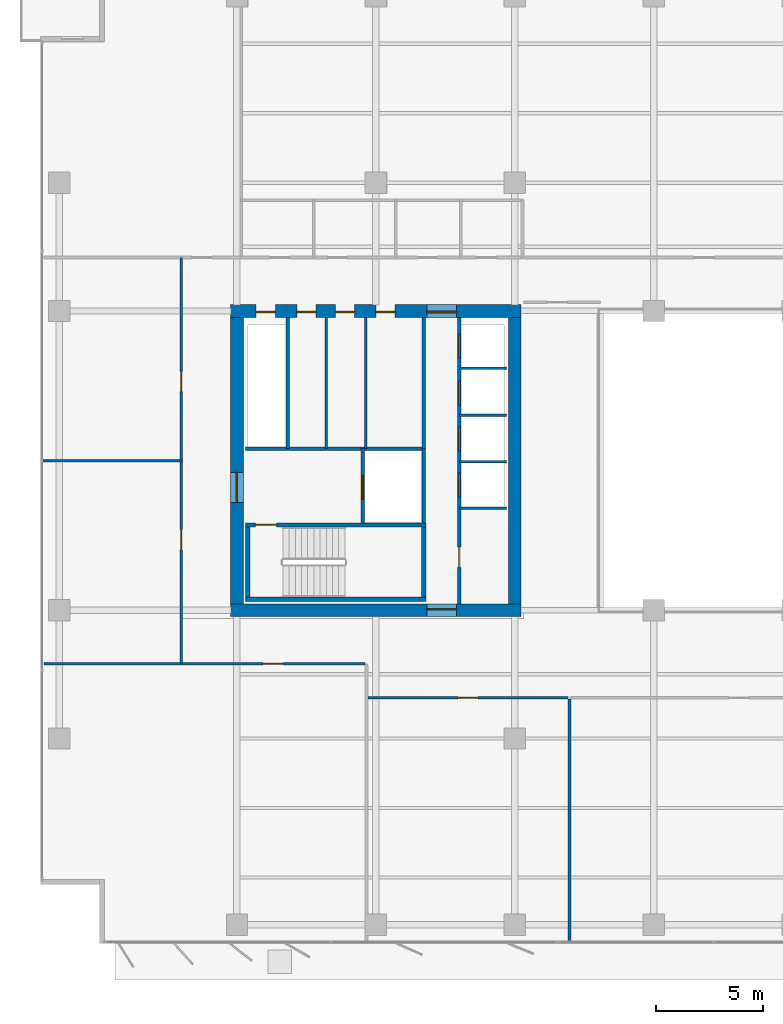
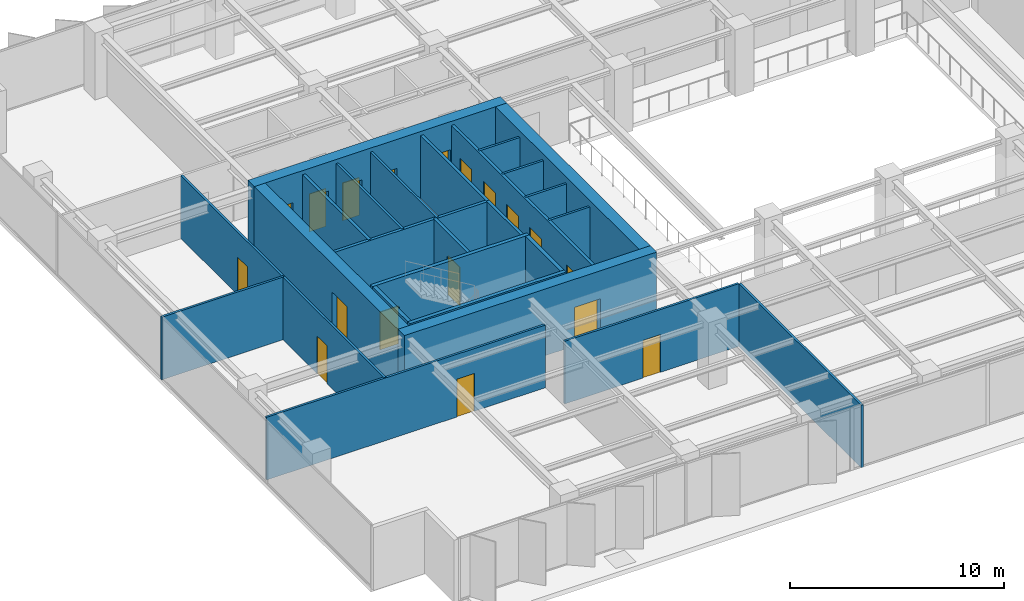
# One storey, part 15 of 22: 26 walls, 18 doors, 18 openings.
"""IFC4 building model written with IfcOpenShell, lengths in metres."""

from ifc_helpers import new_model, si_unit, direction, frame, frame_2d, origin, place, context, subcontext, project, spatial, rectangle, extrude, material, layer, layer_set, type_object, element, fill, save


model = new_model("IFC4")

# Units and contexts
model_context = context("Model", 3, precision=1e-05, world=origin(), true_north=direction((0.0, 1.0)))
body_context = subcontext(model_context, "Body", "Model", "MODEL_VIEW")
ifc_project = project(units=[si_unit("LENGTHUNIT", "METRE"), si_unit("AREAUNIT", "SQUARE_METRE"), si_unit("VOLUMEUNIT", "CUBIC_METRE"), si_unit("PLANEANGLEUNIT", "RADIAN"), si_unit("MASSUNIT", "GRAM", prefix="KILO")], contexts=[model_context])

# Site, building, storey
site_placement = place(None, origin())
site = spatial("IfcSite", under=ifc_project, at=site_placement, CompositionType="ELEMENT")
building_placement = place(site_placement, origin())
building = spatial("IfcBuilding", under=site, at=building_placement, Name="Putna Gate Headquarters", CompositionType="ELEMENT")
storey_placement = place(building_placement, frame((0.0, 0.0, 144.199951171875)))
storey = spatial("IfcBuildingStorey", under=building, at=storey_placement, Name="L35", CompositionType="ELEMENT", Elevation=144.199951171875)

# Wall, opening, door
ifc_material_1 = material(Name="Concrete C50/60", Category="concrete")
ifc_layer_1 = layer(ifc_material_1, 0.60009765625)
ifc_layer_set_1 = layer_set([ifc_layer_1], Name="Concrete C50/60")
wall_type_1 = type_object("IfcWallType", Name="WALL-CORE-600", PredefinedType="SHEAR", material=ifc_layer_set_1)
wall_1_placement = place(storey_placement, frame((12.699951171875, 19.0, 0.0), z_axis=(0.0, 0.0, 1.0), x_axis=(1.0, 0.0, 0.0)))
wall_1 = element("IfcWall", 1, at=wall_1_placement, inside=storey, type_object=wall_type_1, Name="L35 WC Split Core Shear Wall S", PredefinedType="SHEAR", context=body_context, shape_type="SweptSolid", body=[
    extrude(rectangle(XDim=13.60009765625, YDim=0.60009765625, at=frame_2d((6.800048828125, 0.0))), origin(), (0.0, 0.0, 1.0), 3.800048828125),
])
opening_1_placement = place(wall_1_placement, frame((9.179931640625, 0.0, 0.0)))
opening_1 = element("IfcOpeningElement", 2, at=opening_1_placement, cuts=wall_1, Name="Opening FDD-140", PredefinedType="OPENING", context=body_context, shape_type="SweptSolid", body=[
    extrude(rectangle(XDim=1.39990234375, YDim=2.199951171875, at=frame_2d((0.699951171875, 1.10009765625))), frame((0.0, 0.31005859375, 0.0), z_axis=(0.0, -1.0, 0.0), x_axis=(1.0, 0.0, 0.0)), (0.0, 0.0, 1.0), 0.6201171875),
])
ifc_material_2 = material(Name="Double steel fire door", Category="steel")
door_type_1 = type_object("IfcDoorType", Name="DOOR-FIRE-DBL-1400", OperationType="DOUBLE_DOOR_SINGLE_SWING", PredefinedType="DOOR", material=ifc_material_2)
door_1_placement = place(opening_1_placement, origin())
door_1 = element("IfcDoor", 3, at=door_1_placement, inside=storey, type_object=door_type_1, Name="L35 West Lift Lobby South Door", OperationType="DOUBLE_DOOR_SINGLE_SWING", OverallHeight=2.199951171875, OverallWidth=1.39990234375, PredefinedType="DOOR", context=body_context, shape_type="SweptSolid", body=[
    extrude(rectangle(XDim=1.39990234375, YDim=2.199951171875, at=frame_2d((0.699951171875, 1.10009765625))), frame((0.0, 0.0751953125, 0.0), z_axis=(0.0, -1.0, 0.0), x_axis=(1.0, 0.0, 0.0)), (0.0, 0.0, 1.0), 0.050048828125),
])
fill(opening_1, door_1)

# Wall, openings, doors
wall_2_placement = place(storey_placement, frame((12.699951171875, 33.0, 0.0), z_axis=(0.0, 0.0, 1.0), x_axis=(1.0, 0.0, 0.0)))
wall_2 = element("IfcWall", 4, at=wall_2_placement, inside=storey, type_object=wall_type_1, Name="L35 WC Split Core Shear Wall N", PredefinedType="SHEAR", context=body_context, shape_type="SweptSolid", body=[
    extrude(rectangle(XDim=13.60009765625, YDim=0.60009765625, at=frame_2d((6.800048828125, 0.0))), origin(), (0.0, 0.0, 1.0), 3.800048828125),
])
opening_2_placement = place(wall_2_placement, frame((1.199951171875, 0.0, 0.0)))
opening_2 = element("IfcOpeningElement", 5, at=opening_2_placement, cuts=wall_2, Name="Opening RD-90", PredefinedType="OPENING", context=body_context, shape_type="SweptSolid", body=[
    extrude(rectangle(XDim=0.89990234375, YDim=2.14990234375, at=frame_2d((0.449951171875, 1.074951171875))), frame((0.0, 0.31005859375, 0.0), z_axis=(0.0, -1.0, 0.0), x_axis=(1.0, 0.0, 0.0)), (0.0, 0.0, 1.0), 0.6201171875),
])
opening_3_placement = place(wall_2_placement, frame((3.10009765625, 0.0, 0.0)))
opening_3 = element("IfcOpeningElement", 6, at=opening_3_placement, cuts=wall_2, Name="Opening IDS-90", PredefinedType="OPENING", context=body_context, shape_type="SweptSolid", body=[
    extrude(rectangle(XDim=0.89990234375, YDim=2.14990234375, at=frame_2d((0.449951171875, 1.074951171875))), frame((0.0, 0.31005859375, 0.0), z_axis=(0.0, -1.0, 0.0), x_axis=(1.0, 0.0, 0.0)), (0.0, 0.0, 1.0), 0.6201171875),
])
opening_4_placement = place(wall_2_placement, frame((4.89990234375, 0.0, 0.0)))
opening_4 = element("IfcOpeningElement", 7, at=opening_4_placement, cuts=wall_2, Name="Opening IDS-90", PredefinedType="OPENING", context=body_context, shape_type="SweptSolid", body=[
    extrude(rectangle(XDim=0.89990234375, YDim=2.14990234375, at=frame_2d((0.449951171875, 1.074951171875))), frame((0.0, 0.31005859375, 0.0), z_axis=(0.0, -1.0, 0.0), x_axis=(1.0, 0.0, 0.0)), (0.0, 0.0, 1.0), 0.6201171875),
])
opening_5_placement = place(wall_2_placement, frame((6.800048828125, 0.0, 0.0)))
opening_5 = element("IfcOpeningElement", 8, at=opening_5_placement, cuts=wall_2, Name="Opening IDS-90", PredefinedType="OPENING", context=body_context, shape_type="SweptSolid", body=[
    extrude(rectangle(XDim=0.89990234375, YDim=2.14990234375, at=frame_2d((0.449951171875, 1.074951171875))), frame((0.0, 0.31005859375, 0.0), z_axis=(0.0, -1.0, 0.0), x_axis=(1.0, 0.0, 0.0)), (0.0, 0.0, 1.0), 0.6201171875),
])
opening_6_placement = place(wall_2_placement, frame((9.179931640625, 0.0, 0.0)))
opening_6 = element("IfcOpeningElement", 9, at=opening_6_placement, cuts=wall_2, Name="Opening FDD-140", PredefinedType="OPENING", context=body_context, shape_type="SweptSolid", body=[
    extrude(rectangle(XDim=1.39990234375, YDim=2.199951171875, at=frame_2d((0.699951171875, 1.10009765625))), frame((0.0, 0.31005859375, 0.0), z_axis=(0.0, -1.0, 0.0), x_axis=(1.0, 0.0, 0.0)), (0.0, 0.0, 1.0), 0.6201171875),
])
door_2_placement = place(opening_6_placement, origin())
door_2 = element("IfcDoor", 10, at=door_2_placement, inside=storey, type_object=door_type_1, Name="L35 West Lift Lobby North Door", OperationType="DOUBLE_DOOR_SINGLE_SWING", OverallHeight=2.199951171875, OverallWidth=1.39990234375, PredefinedType="DOOR", context=body_context, shape_type="SweptSolid", body=[
    extrude(rectangle(XDim=1.39990234375, YDim=2.199951171875, at=frame_2d((0.699951171875, 1.10009765625))), frame((0.0, -0.02490234375, 0.0), z_axis=(0.0, -1.0, 0.0), x_axis=(1.0, 0.0, 0.0)), (0.0, 0.0, 1.0), 0.050048828125),
])
fill(opening_6, door_2)
ifc_material_3 = material(Name="Fire-rated utility door")
door_type_2 = type_object("IfcDoorType", Name="DOOR-INT-900", OperationType="NOTDEFINED", PredefinedType="DOOR", material=ifc_material_3)
door_3_placement = place(opening_3_placement, origin())
door_3 = element("IfcDoor", 11, at=door_3_placement, inside=storey, type_object=door_type_2, Name="L35 Janitor Cupboard Door", OperationType="SINGLE_SWING_LEFT", OverallHeight=2.14990234375, OverallWidth=0.89990234375, PredefinedType="DOOR", context=body_context, shape_type="SweptSolid", body=[
    extrude(rectangle(XDim=0.89990234375, YDim=2.14990234375, at=frame_2d((0.449951171875, 1.074951171875))), frame((0.0, -0.02490234375, 0.0), z_axis=(0.0, -1.0, 0.0), x_axis=(1.0, 0.0, 0.0)), (0.0, 0.0, 1.0), 0.050048828125),
])
fill(opening_3, door_3)
door_4_placement = place(opening_4_placement, origin())
door_4 = element("IfcDoor", 12, at=door_4_placement, inside=storey, type_object=door_type_2, Name="L35 IT Patch Plant Door", OperationType="SINGLE_SWING_RIGHT", OverallHeight=2.14990234375, OverallWidth=0.89990234375, PredefinedType="DOOR", context=body_context, shape_type="SweptSolid", body=[
    extrude(rectangle(XDim=0.89990234375, YDim=2.14990234375, at=frame_2d((0.449951171875, 1.074951171875))), frame((0.0, -0.02490234375, 0.0), z_axis=(0.0, -1.0, 0.0), x_axis=(1.0, 0.0, 0.0)), (0.0, 0.0, 1.0), 0.050048828125),
])
fill(opening_4, door_4)
door_5_placement = place(opening_5_placement, origin())
door_5 = element("IfcDoor", 13, at=door_5_placement, inside=storey, type_object=door_type_2, Name="L35 Building Records Store Door", OperationType="SINGLE_SWING_LEFT", OverallHeight=2.14990234375, OverallWidth=0.89990234375, PredefinedType="DOOR", context=body_context, shape_type="SweptSolid", body=[
    extrude(rectangle(XDim=0.89990234375, YDim=2.14990234375, at=frame_2d((0.449951171875, 1.074951171875))), frame((0.0, -0.02490234375, 0.0), z_axis=(0.0, -1.0, 0.0), x_axis=(1.0, 0.0, 0.0)), (0.0, 0.0, 1.0), 0.050048828125),
])
fill(opening_5, door_5)
ifc_material_4 = material(Name="Steel riser access fire door", Category="steel")
door_type_3 = type_object("IfcDoorType", Name="DOOR-RISER-900", OperationType="NOTDEFINED", PredefinedType="DOOR", material=ifc_material_4)
door_6_placement = place(opening_2_placement, origin())
door_6 = element("IfcDoor", 14, at=door_6_placement, inside=storey, type_object=door_type_3, Name="L35 West Riser Access Door", OperationType="SINGLE_SWING_RIGHT", OverallHeight=2.14990234375, OverallWidth=0.89990234375, PredefinedType="DOOR", context=body_context, shape_type="SweptSolid", body=[
    extrude(rectangle(XDim=0.89990234375, YDim=2.14990234375, at=frame_2d((0.449951171875, 1.074951171875))), frame((0.0, -0.02490234375, 0.0), z_axis=(0.0, -1.0, 0.0), x_axis=(1.0, 0.0, 0.0)), (0.0, 0.0, 1.0), 0.050048828125),
])
fill(opening_2, door_6)

# Wall, opening, door
wall_3_placement = place(storey_placement, frame((13.0, 19.300048828125, 0.0), z_axis=(0.0, 0.0, 1.0), x_axis=(0.0, 1.0, 0.0)))
wall_3 = element("IfcWall", 15, at=wall_3_placement, inside=storey, type_object=wall_type_1, Name="L35 WC Split Core Shear Wall W", PredefinedType="SHEAR", context=body_context, shape_type="SweptSolid", body=[
    extrude(rectangle(XDim=13.39990234375, YDim=0.60009765625, at=frame_2d((6.699951171875, 0.0))), origin(), (0.0, 0.0, 1.0), 3.800048828125),
])
opening_7_placement = place(wall_3_placement, frame((4.75, 0.0, 0.0)))
opening_7 = element("IfcOpeningElement", 16, at=opening_7_placement, cuts=wall_3, Name="Opening FDD-140", PredefinedType="OPENING", context=body_context, shape_type="SweptSolid", body=[
    extrude(rectangle(XDim=1.39990234375, YDim=2.199951171875, at=frame_2d((0.699951171875, 1.10009765625))), frame((0.0, 0.31005859375, 0.0), z_axis=(0.0, -1.0, 0.0), x_axis=(1.0, 0.0, 0.0)), (0.0, 0.0, 1.0), 0.6201171875),
])
door_7_placement = place(opening_7_placement, origin())
door_7 = element("IfcDoor", 17, at=door_7_placement, inside=storey, type_object=door_type_1, Name="L35 West Firefighting Lobby Door", OperationType="DOUBLE_DOOR_SINGLE_SWING", OverallHeight=2.199951171875, OverallWidth=1.39990234375, PredefinedType="DOOR", context=body_context, shape_type="SweptSolid", body=[
    extrude(rectangle(XDim=1.39990234375, YDim=2.199951171875, at=frame_2d((0.699951171875, 1.10009765625))), frame((0.0, 0.02490234375, 0.0), z_axis=(0.0, -1.0, 0.0), x_axis=(1.0, 0.0, 0.0)), (0.0, 0.0, 1.0), 0.050048828125),
])
fill(opening_7, door_7)

# Walls
wall_4_placement = place(storey_placement, frame((26.0, 19.300048828125, 0.0), z_axis=(0.0, 0.0, 1.0), x_axis=(0.0, 1.0, 0.0)))
element("IfcWall", 18, at=wall_4_placement, inside=storey, type_object=wall_type_1, Name="L35 WC Split Core Shear Wall E", PredefinedType="SHEAR", context=body_context, shape_type="SweptSolid", body=[
    extrude(rectangle(XDim=13.39990234375, YDim=0.60009765625, at=frame_2d((6.699951171875, 0.0))), origin(), (0.0, 0.0, 1.0), 3.800048828125),
])
ifc_material_5 = material(Name="Acoustic gypsum board on metal stud")
ifc_layer_2 = layer(ifc_material_5, 0.1201171875)
ifc_layer_set_2 = layer_set([ifc_layer_2], Name="Acoustic gypsum board on metal stud")
wall_type_2 = type_object("IfcWallType", Name="WALL-PART-120", PredefinedType="PARTITIONING", material=ifc_layer_set_2)
wall_5_placement = place(storey_placement, frame((28.556884765625, 3.419921875, 0.0), z_axis=(0.0, 0.0, 1.0), x_axis=(0.0, 1.0, 0.0)))
element("IfcWall", 19, at=wall_5_placement, inside=storey, type_object=wall_type_2, Name="L35 Interior Wall PART-L35-SB-DIV-02", PredefinedType="PARTITIONING", context=body_context, shape_type="SweptSolid", body=[
    extrude(rectangle(XDim=11.420166015625, YDim=0.1201171875, at=frame_2d((5.7099609375, 0.0))), origin(), (0.0, 0.0, 1.0), 3.572021484375),
])
wall_6_placement = place(storey_placement, frame((3.820068359375, 26.0, 0.0), z_axis=(0.0, 0.0, 1.0), x_axis=(1.0, 0.0, 0.0)))
element("IfcWall", 20, at=wall_6_placement, inside=storey, type_object=wall_type_2, Name="L35 Interior Wall PART-L35-WW-DIV-1", PredefinedType="PARTITIONING", context=body_context, shape_type="SweptSolid", body=[
    extrude(rectangle(XDim=6.579833984375, YDim=0.1201171875, at=frame_2d((3.2900390625, 0.0))), origin(), (0.0, 0.0, 1.0), 3.572021484375),
])
ifc_material_6 = material(Name="Fire-rated shaftwall gypsum board on metal stud")
ifc_layer_3 = layer(ifc_material_6, 0.1201171875)
ifc_layer_set_3 = layer_set([ifc_layer_3], Name="Fire-rated shaftwall gypsum board on metal stud")
wall_type_3 = type_object("IfcWallType", Name="WALL-PART-120-EI120", PredefinedType="PARTITIONING", material=ifc_layer_set_3)
for number, where, z_axis, x_axis, name in (
    (21, (23.39990234375, 25.949951171875, 0.0), (0.0, 0.0, 1.0), (1.0, 0.0, 0.0), "L35 Interior Wall CWINT-L35-WC-LF05-DIV"),
    (22, (23.39990234375, 28.1201171875, 0.0), (0.0, 0.0, 1.0), (1.0, 0.0, 0.0), "L35 Interior Wall CWINT-L35-WC-LF06-DIV"),
    (23, (23.39990234375, 30.31005859375, 0.0), (0.0, 0.0, 1.0), (1.0, 0.0, 0.0), "L35 Interior Wall CWINT-L35-WC-LF09-DIV"),
):
    element("IfcWall", number, at=place(storey_placement, frame(where, z_axis=z_axis, x_axis=x_axis)), inside=storey, type_object=wall_type_3, Name=name, PredefinedType="PARTITIONING", context=body_context, shape_type="SweptSolid", body=[
        extrude(rectangle(XDim=2.2001953125, YDim=0.1201171875, at=frame_2d((1.10009765625, 0.0))), origin(), (0.0, 0.0, 1.0), 3.572021484375),
    ])
ifc_material_7 = material(Name="Fire-rated gypsum board on metal stud")
ifc_layer_4 = layer(ifc_material_7, 0.1201171875)
ifc_layer_set_4 = layer_set([ifc_layer_4], Name="Fire-rated gypsum board on metal stud")
wall_type_4 = type_object("IfcWallType", Name="WALL-PART-120-RATED", PredefinedType="PARTITIONING", material=ifc_layer_set_4)
for number, where, z_axis, x_axis, name in (
    (24, (17.169921875, 26.56005859375, 0.0), (0.0, 0.0, 1.0), (0.0, 1.0, 0.0), "L35 Interior Wall CWINT-L35-WC-K2-D1"),
    (25, (19.02001953125, 26.56005859375, 0.0), (0.0, 0.0, 1.0), (0.0, 1.0, 0.0), "L35 Interior Wall CWINT-L35-WC-K2-D2"),
):
    element("IfcWall", number, at=place(storey_placement, frame(where, z_axis=z_axis, x_axis=x_axis)), inside=storey, type_object=wall_type_4, Name=name, PredefinedType="PARTITIONING", context=body_context, shape_type="SweptSolid", body=[
        extrude(rectangle(XDim=6.139892578125, YDim=0.1201171875, at=frame_2d((3.06982421875, 0.0))), origin(), (0.0, 0.0, 1.0), 3.572021484375),
    ])
wall_7_placement = place(storey_placement, frame((23.39990234375, 23.780029296875, 0.0), z_axis=(0.0, 0.0, 1.0), x_axis=(1.0, 0.0, 0.0)))
element("IfcWall", 26, at=wall_7_placement, inside=storey, type_object=wall_type_4, Name="L35 Interior Wall CWINT-L35-WC-LF02-DIV", PredefinedType="PARTITIONING", context=body_context, shape_type="SweptSolid", body=[
    extrude(rectangle(XDim=2.2001953125, YDim=0.1201171875, at=frame_2d((1.10009765625, 0.0))), origin(), (0.0, 0.0, 1.0), 3.572021484375),
])

# Wall, opening, door
wall_8_placement = place(storey_placement, frame((3.97998046875, 16.5, 0.0), z_axis=(0.0, 0.0, 1.0), x_axis=(1.0, 0.0, 0.0)))
wall_8 = element("IfcWall", 27, at=wall_8_placement, inside=storey, type_object=wall_type_4, Name="L35 Interior Wall PART-L35-SB-CW-01", PredefinedType="PARTITIONING", context=body_context, shape_type="SweptSolid", body=[
    extrude(rectangle(XDim=15.01953125, YDim=0.1201171875, at=frame_2d((7.509765625, 0.0))), origin(), (0.0, 0.0, 1.0), 3.572021484375),
])
opening_8_placement = place(wall_8_placement, frame((10.244873046875, 0.0, 0.0)))
opening_8 = element("IfcOpeningElement", 28, at=opening_8_placement, cuts=wall_8, Name="Opening FD-95", PredefinedType="OPENING", context=body_context, shape_type="SweptSolid", body=[
    extrude(rectangle(XDim=0.949951171875, YDim=2.14990234375, at=frame_2d((0.47509765625, 1.074951171875))), frame((0.0, 0.070068359375, 0.0), z_axis=(0.0, -1.0, 0.0), x_axis=(1.0, 0.0, 0.0)), (0.0, 0.0, 1.0), 0.14013671875),
])
ifc_material_8 = material(Name="Acoustic timber fire door", Category="wood")
door_type_4 = type_object("IfcDoorType", Name="DOOR-FIRE-950", OperationType="NOTDEFINED", PredefinedType="DOOR", material=ifc_material_8)
door_8_placement = place(opening_8_placement, origin())
door_8 = element("IfcDoor", 29, at=door_8_placement, inside=storey, type_object=door_type_4, Name="L35 Collaborative Breakout Lounge 1 Door", OperationType="SINGLE_SWING_RIGHT", OverallHeight=2.14990234375, OverallWidth=0.949951171875, PredefinedType="DOOR", context=body_context, shape_type="SweptSolid", body=[
    extrude(rectangle(XDim=0.949951171875, YDim=2.14990234375, at=frame_2d((0.47509765625, 1.074951171875))), frame((0.0, 0.02490234375, 0.0), z_axis=(0.0, -1.0, 0.0), x_axis=(1.0, 0.0, 0.0)), (0.0, 0.0, 1.0), 0.050048828125),
])
fill(opening_8, door_8)

wall_9_placement = place(storey_placement, frame((19.11962890625, 14.89990234375, 0.0), z_axis=(0.0, 0.0, 1.0), x_axis=(1.0, 0.0, 0.0)))
wall_9 = element("IfcWall", 30, at=wall_9_placement, inside=storey, type_object=wall_type_4, Name="L35 Interior Wall PART-L35-SB-CW-02", PredefinedType="PARTITIONING", context=body_context, shape_type="SweptSolid", body=[
    extrude(rectangle(XDim=9.37744140625, YDim=0.1201171875, at=frame_2d((4.688720703125, 0.0))), origin(), (0.0, 0.0, 1.0), 3.572021484375),
])
opening_9_placement = place(wall_9_placement, frame((4.213623046875, 0.0, 0.0)))
opening_9 = element("IfcOpeningElement", 31, at=opening_9_placement, cuts=wall_9, Name="Opening FD-95", PredefinedType="OPENING", context=body_context, shape_type="SweptSolid", body=[
    extrude(rectangle(XDim=0.949951171875, YDim=2.14990234375, at=frame_2d((0.47509765625, 1.074951171875))), frame((0.0, 0.070068359375, 0.0), z_axis=(0.0, -1.0, 0.0), x_axis=(1.0, 0.0, 0.0)), (0.0, 0.0, 1.0), 0.14013671875),
])
door_9_placement = place(opening_9_placement, origin())
door_9 = element("IfcDoor", 32, at=door_9_placement, inside=storey, type_object=door_type_4, Name="L35 Cellular Office 1 Door", OperationType="SINGLE_SWING_LEFT", OverallHeight=2.14990234375, OverallWidth=0.949951171875, PredefinedType="DOOR", context=body_context, shape_type="SweptSolid", body=[
    extrude(rectangle(XDim=0.949951171875, YDim=2.14990234375, at=frame_2d((0.47509765625, 1.074951171875))), frame((0.0, 0.02490234375, 0.0), z_axis=(0.0, -1.0, 0.0), x_axis=(1.0, 0.0, 0.0)), (0.0, 0.0, 1.0), 0.050048828125),
])
fill(opening_9, door_9)

wall_10_placement = place(storey_placement, frame((10.39990234375, 16.5, 0.0), z_axis=(0.0, 0.0, 1.0), x_axis=(0.0, 1.0, 0.0)))
wall_10 = element("IfcWall", 33, at=wall_10_placement, inside=storey, type_object=wall_type_4, Name="L35 Interior Wall PART-L35-WW-CW-1", PredefinedType="PARTITIONING", context=body_context, shape_type="SweptSolid", body=[
    extrude(rectangle(XDim=9.5, YDim=0.1201171875, at=frame_2d((4.75, 0.0))), origin(), (0.0, 0.0, 1.0), 3.572021484375),
])
opening_10_placement = place(wall_10_placement, frame((5.324951171875, 0.0, 0.0)))
opening_10 = element("IfcOpeningElement", 34, at=opening_10_placement, cuts=wall_10, Name="Opening FD-95", PredefinedType="OPENING", context=body_context, shape_type="SweptSolid", body=[
    extrude(rectangle(XDim=0.949951171875, YDim=2.14990234375, at=frame_2d((0.47509765625, 1.074951171875))), frame((0.0, 0.070068359375, 0.0), z_axis=(0.0, -1.0, 0.0), x_axis=(1.0, 0.0, 0.0)), (0.0, 0.0, 1.0), 0.14013671875),
])
door_10_placement = place(opening_10_placement, origin())
door_10 = element("IfcDoor", 35, at=door_10_placement, inside=storey, type_object=door_type_4, Name="L35 West Executive Office 1 Door", OperationType="SINGLE_SWING_LEFT", OverallHeight=2.14990234375, OverallWidth=0.949951171875, PredefinedType="DOOR", context=body_context, shape_type="SweptSolid", body=[
    extrude(rectangle(XDim=0.949951171875, YDim=2.14990234375, at=frame_2d((0.47509765625, 1.074951171875))), frame((0.0, 0.02490234375, 0.0), z_axis=(0.0, -1.0, 0.0), x_axis=(1.0, 0.0, 0.0)), (0.0, 0.0, 1.0), 0.050048828125),
])
fill(opening_10, door_10)

wall_11_placement = place(storey_placement, frame((10.39990234375, 26.0, 0.0), z_axis=(0.0, 0.0, 1.0), x_axis=(0.0, 1.0, 0.0)))
wall_11 = element("IfcWall", 36, at=wall_11_placement, inside=storey, type_object=wall_type_4, Name="L35 Interior Wall PART-L35-WW-CW-2", PredefinedType="PARTITIONING", context=body_context, shape_type="SweptSolid", body=[
    extrude(rectangle(XDim=9.5, YDim=0.1201171875, at=frame_2d((4.75, 0.0))), origin(), (0.0, 0.0, 1.0), 3.572021484375),
])
opening_11_placement = place(wall_11_placement, frame((3.22509765625, 0.0, 0.0)))
opening_11 = element("IfcOpeningElement", 37, at=opening_11_placement, cuts=wall_11, Name="Opening FD-95", PredefinedType="OPENING", context=body_context, shape_type="SweptSolid", body=[
    extrude(rectangle(XDim=0.949951171875, YDim=2.14990234375, at=frame_2d((0.47509765625, 1.074951171875))), frame((0.0, 0.070068359375, 0.0), z_axis=(0.0, -1.0, 0.0), x_axis=(1.0, 0.0, 0.0)), (0.0, 0.0, 1.0), 0.14013671875),
])
door_11_placement = place(opening_11_placement, origin())
door_11 = element("IfcDoor", 38, at=door_11_placement, inside=storey, type_object=door_type_4, Name="L35 West Executive Office 2 Door", OperationType="SINGLE_SWING_RIGHT", OverallHeight=2.14990234375, OverallWidth=0.949951171875, PredefinedType="DOOR", context=body_context, shape_type="SweptSolid", body=[
    extrude(rectangle(XDim=0.949951171875, YDim=2.14990234375, at=frame_2d((0.47509765625, 1.074951171875))), frame((0.0, 0.02490234375, 0.0), z_axis=(0.0, -1.0, 0.0), x_axis=(1.0, 0.0, 0.0)), (0.0, 0.0, 1.0), 0.050048828125),
])
fill(opening_11, door_11)

# Wall
ifc_material_9 = material(Name="Concrete C40/50", Category="concrete")
ifc_layer_5 = layer(ifc_material_9, 0.159912109375)
ifc_layer_set_5 = layer_set([ifc_layer_5], Name="Concrete C40/50")
wall_type_5 = type_object("IfcWallType", Name="WALL-SHAFT-160", PredefinedType="STANDARD", material=ifc_layer_set_5)
wall_12_placement = place(storey_placement, frame((21.739990234375, 23.090087890625, 0.0), z_axis=(0.0, 0.0, 1.0), x_axis=(0.0, 1.0, 0.0)))
element("IfcWall", 39, at=wall_12_placement, inside=storey, type_object=wall_type_5, Name="L35 Interior Wall CWINT-L35-WC-FFL-E", PredefinedType="STANDARD", context=body_context, shape_type="SweptSolid", body=[
    extrude(rectangle(XDim=3.469970703125, YDim=0.159912109375, at=frame_2d((1.73486328125, 0.0))), origin(), (0.0, 0.0, 1.0), 3.572021484375),
])

# Wall, opening, door
wall_13_placement = place(storey_placement, frame((18.8798828125, 23.090087890625, 0.0), z_axis=(0.0, 0.0, 1.0), x_axis=(0.0, 1.0, 0.0)))
wall_13 = element("IfcWall", 40, at=wall_13_placement, inside=storey, type_object=wall_type_5, Name="L35 Interior Wall CWINT-L35-WC-LF13-W", PredefinedType="STANDARD", context=body_context, shape_type="SweptSolid", body=[
    extrude(rectangle(XDim=3.469970703125, YDim=0.159912109375, at=frame_2d((1.73486328125, 0.0))), origin(), (0.0, 0.0, 1.0), 3.572021484375),
])
opening_12_placement = place(wall_13_placement, frame((1.10009765625, 0.0, 0.0)))
opening_12 = element("IfcOpeningElement", 41, at=opening_12_placement, cuts=wall_13, Name="Opening LD-1", PredefinedType="OPENING", context=body_context, shape_type="SweptSolid", body=[
    extrude(rectangle(XDim=1.10009765625, YDim=2.199951171875, at=frame_2d((0.550048828125, 1.10009765625))), frame((0.0, 0.08984375, 0.0), z_axis=(0.0, -1.0, 0.0), x_axis=(1.0, 0.0, 0.0)), (0.0, 0.0, 1.0), 0.179931640625),
])
ifc_material_10 = material(Name="Brushed bronze stainless lift landing door")
door_type_5 = type_object("IfcDoorType", Name="DOOR-LIFT-1100", OperationType="DOUBLE_DOOR_SLIDING", PredefinedType="DOOR", material=ifc_material_10)
door_12_placement = place(opening_12_placement, origin())
door_12 = element("IfcDoor", 42, at=door_12_placement, inside=storey, type_object=door_type_5, Name="L35 Lift Landing Door LD-13", OperationType="DOUBLE_DOOR_SLIDING", OverallHeight=2.199951171875, OverallWidth=1.10009765625, PredefinedType="DOOR", context=body_context, shape_type="SweptSolid", body=[
    extrude(rectangle(XDim=1.10009765625, YDim=2.199951171875, at=frame_2d((0.550048828125, 1.10009765625))), frame((0.0, 0.02490234375, 0.0), z_axis=(0.0, -1.0, 0.0), x_axis=(1.0, 0.0, 0.0)), (0.0, 0.0, 1.0), 0.050048828125),
])
fill(opening_12, door_12)

# Walls
wall_14_placement = place(storey_placement, frame((13.39990234375, 26.56005859375, 0.0), z_axis=(0.0, 0.0, 1.0), x_axis=(1.0, 0.0, 0.0)))
element("IfcWall", 43, at=wall_14_placement, inside=storey, type_object=wall_type_5, Name="L35 Interior Wall CWINT-L35-WC-FFL-N", PredefinedType="STANDARD", context=body_context, shape_type="SweptSolid", body=[
    extrude(rectangle(XDim=8.340087890625, YDim=0.159912109375, at=frame_2d((4.169921875, 0.0))), origin(), (0.0, 0.0, 1.0), 3.572021484375),
])
for number, where, z_axis, x_axis, name in (
    (44, (15.3798828125, 26.56005859375, 0.0), (0.0, 0.0, 1.0), (0.0, 1.0, 0.0), "L35 Interior Wall CWINT-L35-WC-RISER-E"),
    (45, (21.739990234375, 26.56005859375, 0.0), (0.0, 0.0, 1.0), (0.0, 1.0, 0.0), "L35 Interior Wall CWINT-L35-WC-LOB-W"),
):
    element("IfcWall", number, at=place(storey_placement, frame(where, z_axis=z_axis, x_axis=x_axis)), inside=storey, type_object=wall_type_5, Name=name, PredefinedType="STANDARD", context=body_context, shape_type="SweptSolid", body=[
        extrude(rectangle(XDim=6.139892578125, YDim=0.159912109375, at=frame_2d((3.06982421875, 0.0))), origin(), (0.0, 0.0, 1.0), 3.572021484375),
    ])

# Wall, openings, doors
wall_15_placement = place(storey_placement, frame((23.39990234375, 19.300048828125, 0.0), z_axis=(0.0, 0.0, 1.0), x_axis=(0.0, 1.0, 0.0)))
wall_15 = element("IfcWall", 46, at=wall_15_placement, inside=storey, type_object=wall_type_5, Name="L35 Interior Wall CWINT-L35-WC-PL-WALL", PredefinedType="STANDARD", context=body_context, shape_type="SweptSolid", body=[
    extrude(rectangle(XDim=13.39990234375, YDim=0.159912109375, at=frame_2d((6.699951171875, 0.0))), origin(), (0.0, 0.0, 1.0), 3.572021484375),
])
opening_13_placement = place(wall_15_placement, frame((1.699951171875, 0.0, 0.0)))
opening_13 = element("IfcOpeningElement", 47, at=opening_13_placement, cuts=wall_15, Name="Opening IDS-95", PredefinedType="OPENING", context=body_context, shape_type="SweptSolid", body=[
    extrude(rectangle(XDim=0.949951171875, YDim=2.14990234375, at=frame_2d((0.47509765625, 1.074951171875))), frame((0.0, 0.08984375, 0.0), z_axis=(0.0, -1.0, 0.0), x_axis=(1.0, 0.0, 0.0)), (0.0, 0.0, 1.0), 0.179931640625),
])
opening_14_placement = place(wall_15_placement, frame((5.0, 0.0, 0.0)))
opening_14 = element("IfcOpeningElement", 48, at=opening_14_placement, cuts=wall_15, Name="Opening LD-1", PredefinedType="OPENING", context=body_context, shape_type="SweptSolid", body=[
    extrude(rectangle(XDim=1.10009765625, YDim=2.199951171875, at=frame_2d((0.550048828125, 1.10009765625))), frame((0.0, 0.08984375, 0.0), z_axis=(0.0, -1.0, 0.0), x_axis=(1.0, 0.0, 0.0)), (0.0, 0.0, 1.0), 0.179931640625),
])
opening_15_placement = place(wall_15_placement, frame((7.14990234375, 0.0, 0.0)))
opening_15 = element("IfcOpeningElement", 49, at=opening_15_placement, cuts=wall_15, Name="Opening LD-1", PredefinedType="OPENING", context=body_context, shape_type="SweptSolid", body=[
    extrude(rectangle(XDim=1.10009765625, YDim=2.199951171875, at=frame_2d((0.550048828125, 1.10009765625))), frame((0.0, 0.08984375, 0.0), z_axis=(0.0, -1.0, 0.0), x_axis=(1.0, 0.0, 0.0)), (0.0, 0.0, 1.0), 0.179931640625),
])
opening_16_placement = place(wall_15_placement, frame((9.300048828125, 0.0, 0.0)))
opening_16 = element("IfcOpeningElement", 50, at=opening_16_placement, cuts=wall_15, Name="Opening LD-1", PredefinedType="OPENING", context=body_context, shape_type="SweptSolid", body=[
    extrude(rectangle(XDim=1.10009765625, YDim=2.199951171875, at=frame_2d((0.550048828125, 1.10009765625))), frame((0.0, 0.08984375, 0.0), z_axis=(0.0, -1.0, 0.0), x_axis=(1.0, 0.0, 0.0)), (0.0, 0.0, 1.0), 0.179931640625),
])
opening_17_placement = place(wall_15_placement, frame((11.5, 0.0, 0.0)))
opening_17 = element("IfcOpeningElement", 51, at=opening_17_placement, cuts=wall_15, Name="Opening LD-1", PredefinedType="OPENING", context=body_context, shape_type="SweptSolid", body=[
    extrude(rectangle(XDim=1.10009765625, YDim=2.199951171875, at=frame_2d((0.550048828125, 1.10009765625))), frame((0.0, 0.08984375, 0.0), z_axis=(0.0, -1.0, 0.0), x_axis=(1.0, 0.0, 0.0)), (0.0, 0.0, 1.0), 0.179931640625),
])
ifc_material_11 = material(Name="Fire-rated service timber door", Category="wood")
door_type_6 = type_object("IfcDoorType", Name="DOOR-INT-950", OperationType="NOTDEFINED", PredefinedType="DOOR", material=ifc_material_11)
door_13_placement = place(opening_13_placement, origin())
door_13 = element("IfcDoor", 52, at=door_13_placement, inside=storey, type_object=door_type_6, Name="L35 Document Archive Door", OperationType="SINGLE_SWING_LEFT", OverallHeight=2.14990234375, OverallWidth=0.949951171875, PredefinedType="DOOR", context=body_context, shape_type="SweptSolid", body=[
    extrude(rectangle(XDim=0.949951171875, YDim=2.14990234375, at=frame_2d((0.47509765625, 1.074951171875))), frame((0.0, 0.02490234375, 0.0), z_axis=(0.0, -1.0, 0.0), x_axis=(1.0, 0.0, 0.0)), (0.0, 0.0, 1.0), 0.050048828125),
])
fill(opening_13, door_13)
door_14_placement = place(opening_14_placement, origin())
door_14 = element("IfcDoor", 53, at=door_14_placement, inside=storey, type_object=door_type_5, Name="L35 Lift Landing Door LD-05", OperationType="DOUBLE_DOOR_SLIDING", OverallHeight=2.199951171875, OverallWidth=1.10009765625, PredefinedType="DOOR", context=body_context, shape_type="SweptSolid", body=[
    extrude(rectangle(XDim=1.10009765625, YDim=2.199951171875, at=frame_2d((0.550048828125, 1.10009765625))), frame((0.0, 0.02490234375, 0.0), z_axis=(0.0, -1.0, 0.0), x_axis=(1.0, 0.0, 0.0)), (0.0, 0.0, 1.0), 0.050048828125),
])
fill(opening_14, door_14)
door_15_placement = place(opening_15_placement, origin())
door_15 = element("IfcDoor", 54, at=door_15_placement, inside=storey, type_object=door_type_5, Name="L35 Lift Landing Door LD-06", OperationType="DOUBLE_DOOR_SLIDING", OverallHeight=2.199951171875, OverallWidth=1.10009765625, PredefinedType="DOOR", context=body_context, shape_type="SweptSolid", body=[
    extrude(rectangle(XDim=1.10009765625, YDim=2.199951171875, at=frame_2d((0.550048828125, 1.10009765625))), frame((0.0, 0.02490234375, 0.0), z_axis=(0.0, -1.0, 0.0), x_axis=(1.0, 0.0, 0.0)), (0.0, 0.0, 1.0), 0.050048828125),
])
fill(opening_15, door_15)
door_16_placement = place(opening_16_placement, origin())
door_16 = element("IfcDoor", 55, at=door_16_placement, inside=storey, type_object=door_type_5, Name="L35 Lift Landing Door LD-09", OperationType="DOUBLE_DOOR_SLIDING", OverallHeight=2.199951171875, OverallWidth=1.10009765625, PredefinedType="DOOR", context=body_context, shape_type="SweptSolid", body=[
    extrude(rectangle(XDim=1.10009765625, YDim=2.199951171875, at=frame_2d((0.550048828125, 1.10009765625))), frame((0.0, 0.02490234375, 0.0), z_axis=(0.0, -1.0, 0.0), x_axis=(1.0, 0.0, 0.0)), (0.0, 0.0, 1.0), 0.050048828125),
])
fill(opening_16, door_16)
door_17_placement = place(opening_17_placement, origin())
door_17 = element("IfcDoor", 56, at=door_17_placement, inside=storey, type_object=door_type_5, Name="L35 Lift Landing Door LD-10", OperationType="DOUBLE_DOOR_SLIDING", OverallHeight=2.199951171875, OverallWidth=1.10009765625, PredefinedType="DOOR", context=body_context, shape_type="SweptSolid", body=[
    extrude(rectangle(XDim=1.10009765625, YDim=2.199951171875, at=frame_2d((0.550048828125, 1.10009765625))), frame((0.0, 0.02490234375, 0.0), z_axis=(0.0, -1.0, 0.0), x_axis=(1.0, 0.0, 0.0)), (0.0, 0.0, 1.0), 0.050048828125),
])
fill(opening_17, door_17)

# Wall
ifc_layer_6 = layer(ifc_material_9, 0.199951171875)
ifc_layer_set_6 = layer_set([ifc_layer_6], Name="Concrete C40/50")
wall_type_6 = type_object("IfcWallType", Name="WALL-SHAFT-RC200", PredefinedType="SHEAR", material=ifc_layer_set_6)
wall_16_placement = place(storey_placement, frame((13.409912109375, 19.510009765625, 0.0), z_axis=(0.0, 0.0, 1.0), x_axis=(1.0, 0.0, 0.0)))
element("IfcWall", 57, at=wall_16_placement, inside=storey, type_object=wall_type_6, Name="L35 Stair ST1 Structural Shaft Wall S", PredefinedType="SHEAR", context=body_context, shape_type="SweptSolid", body=[
    extrude(rectangle(XDim=8.43017578125, YDim=0.199951171875, at=frame_2d((4.215087890625, 0.0))), origin(), (0.0, 0.0, 1.0), 3.800048828125),
])

# Wall, opening, door
wall_17_placement = place(storey_placement, frame((13.409912109375, 22.989990234375, 0.0), z_axis=(0.0, 0.0, 1.0), x_axis=(1.0, 0.0, 0.0)))
wall_17 = element("IfcWall", 58, at=wall_17_placement, inside=storey, type_object=wall_type_6, Name="L35 Stair ST1 Structural Shaft Wall N", PredefinedType="SHEAR", context=body_context, shape_type="SweptSolid", body=[
    extrude(rectangle(XDim=8.43017578125, YDim=0.199951171875, at=frame_2d((4.215087890625, 0.0))), origin(), (0.0, 0.0, 1.0), 3.800048828125),
])
opening_18_placement = place(wall_17_placement, frame((0.449951171875, 0.0, 0.0)))
opening_18 = element("IfcOpeningElement", 59, at=opening_18_placement, cuts=wall_17, Name="Opening FD-100", PredefinedType="OPENING", context=body_context, shape_type="SweptSolid", body=[
    extrude(rectangle(XDim=1.0, YDim=2.14990234375, at=frame_2d((0.5, 1.074951171875))), frame((0.0, 0.10986328125, 0.0), z_axis=(0.0, -1.0, 0.0), x_axis=(1.0, 0.0, 0.0)), (0.0, 0.0, 1.0), 0.219970703125),
])
ifc_material_12 = material(Name="Powder-coated steel fire door", Category="steel")
door_type_7 = type_object("IfcDoorType", Name="DOOR-FIRE-1000", OperationType="NOTDEFINED", PredefinedType="DOOR", material=ifc_material_12)
door_18_placement = place(opening_18_placement, origin())
door_18 = element("IfcDoor", 60, at=door_18_placement, inside=storey, type_object=door_type_7, Name="L35 Stair ST1 Fire Door", OperationType="SINGLE_SWING_LEFT", OverallHeight=2.14990234375, OverallWidth=1.0, PredefinedType="DOOR", context=body_context, shape_type="SweptSolid", body=[
    extrude(rectangle(XDim=1.0, YDim=2.14990234375, at=frame_2d((0.5, 1.074951171875))), frame((0.0, 0.02490234375, 0.0), z_axis=(0.0, -1.0, 0.0), x_axis=(1.0, 0.0, 0.0)), (0.0, 0.0, 1.0), 0.050048828125),
])
fill(opening_18, door_18)

# Walls
for number, where, z_axis, x_axis, name in (
    (61, (13.510009765625, 19.610107421875, 0.0), (0.0, 0.0, 1.0), (0.0, 1.0, 0.0), "L35 Stair ST1 Structural Shaft Wall W"),
    (62, (21.739990234375, 19.610107421875, 0.0), (0.0, 0.0, 1.0), (0.0, 1.0, 0.0), "L35 Stair ST1 Structural Shaft Wall E"),
):
    element("IfcWall", number, at=place(storey_placement, frame(where, z_axis=z_axis, x_axis=x_axis)), inside=storey, type_object=wall_type_6, Name=name, PredefinedType="SHEAR", context=body_context, shape_type="SweptSolid", body=[
        extrude(rectangle(XDim=3.27978515625, YDim=0.199951171875, at=frame_2d((1.639892578125, 0.0))), origin(), (0.0, 0.0, 1.0), 3.800048828125),
    ])

save(model, "model.ifc")
